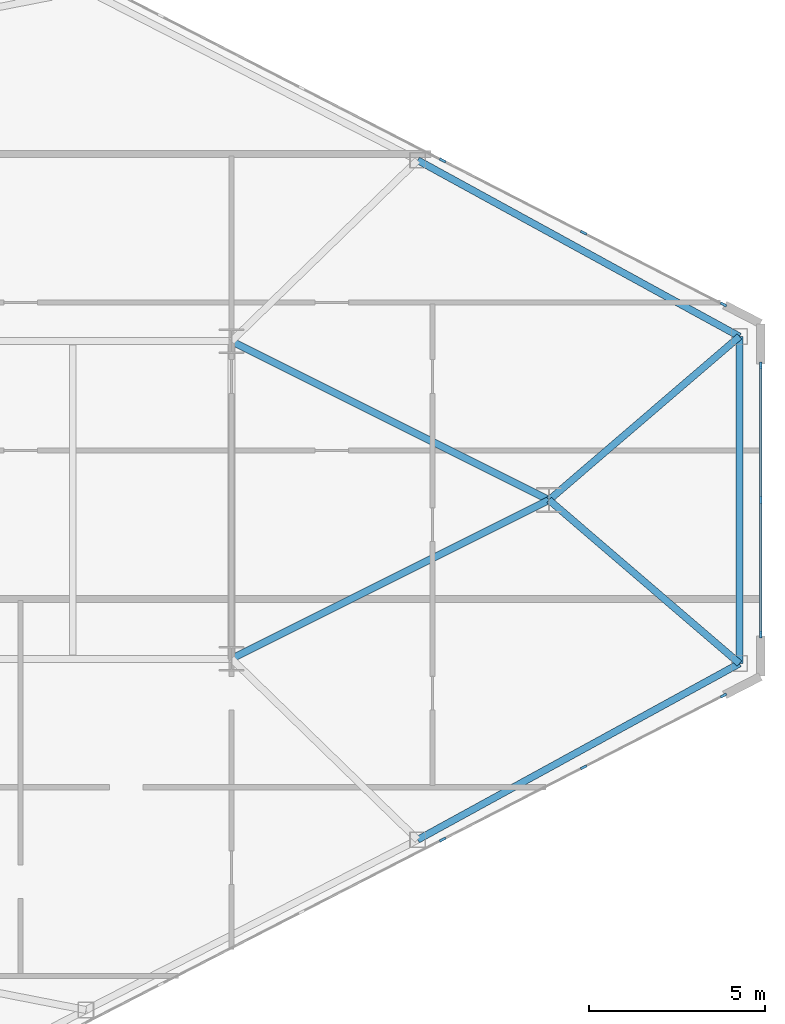
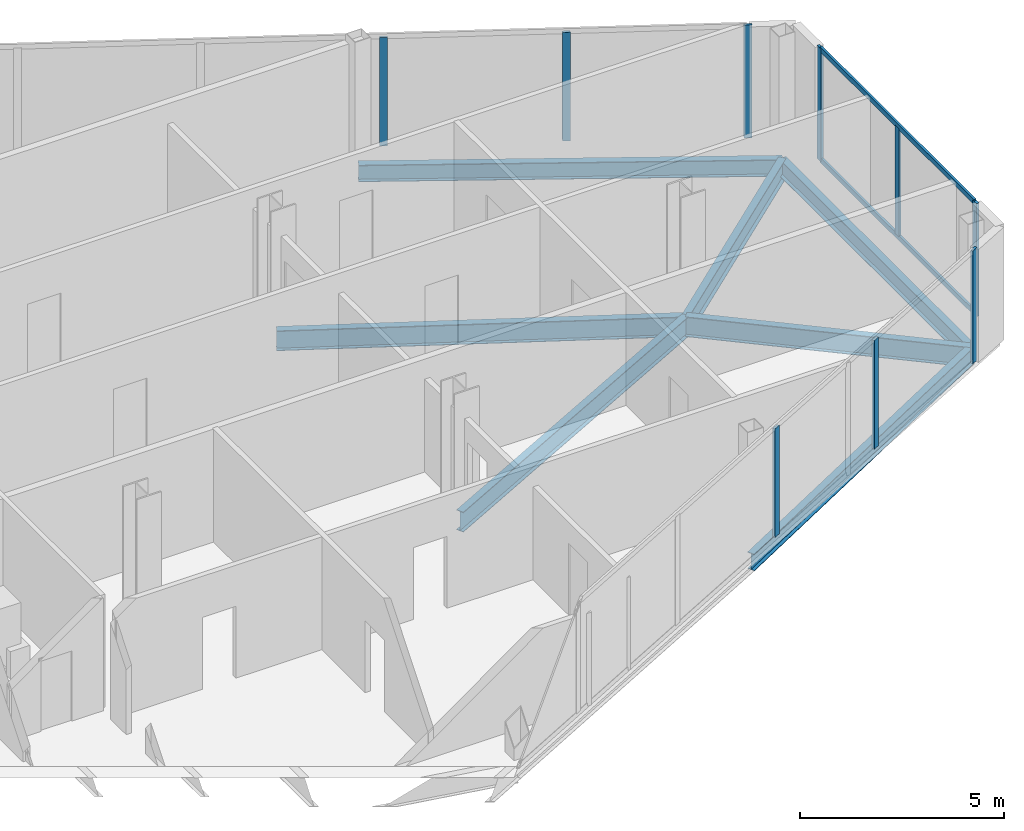
# One storey, part 13 of 24: 11 members, 7 beams, 3 elements without a shape of their own.
"""IFC4 building model written with IfcOpenShell, lengths in metres."""

from ifc_helpers import new_model, si_unit, direction, frame, origin, origin_2d, place, context, subcontext, project, spatial, rectangle, i_section, extrude, source, transform, mapped, material, layer, layer_set, material_profile, profile_set, type_object, type_shapes, element, aggregate, save


model = new_model("IFC4")

# Units and contexts
model_context = context("Model", 3, precision=1e-05, world=origin(), true_north=direction((0.0, 1.0)))
body_context = subcontext(model_context, "Body", "Model", "MODEL_VIEW")
ifc_project = project(units=[si_unit("LENGTHUNIT", "METRE"), si_unit("AREAUNIT", "SQUARE_METRE"), si_unit("VOLUMEUNIT", "CUBIC_METRE"), si_unit("PLANEANGLEUNIT", "RADIAN"), si_unit("MASSUNIT", "GRAM", prefix="KILO")], contexts=[model_context])

# Site, building, storey
site_placement = place(None, origin())
site = spatial("IfcSite", under=ifc_project, at=site_placement, CompositionType="ELEMENT")
building_placement = place(site_placement, origin())
building = spatial("IfcBuilding", under=site, at=building_placement, Name="Seokmaru Belvedere", CompositionType="ELEMENT")
storey_placement = place(building_placement, frame((0.0, 0.0, 124.800048828125)))
storey = spatial("IfcBuildingStorey", under=building, at=storey_placement, Name="L33", CompositionType="ELEMENT", Elevation=124.800048828125)

# Beams
ifc_material_1 = material(Name="Steel SM355 (355 MPa)", Category="steel")
ifc_material_profile_1 = material_profile(ifc_material_1, i_section(OverallWidth=0.199951171875, OverallDepth=0.60009765625, WebThickness=0.010986328125, FlangeThickness=0.01708984375, at=origin_2d()), Name="H-600x200x11x17")
ifc_profile_set_1 = profile_set([ifc_material_profile_1], Name="Steel SM355 (355 MPa)")
beam_type_1 = type_object("IfcBeamType", Name="Primary Floor Girder H-600", PredefinedType="BEAM", material=ifc_profile_set_1)
shared_shape_1 = source(origin(), body_context, "Body", "SweptSolid", [
    extrude(i_section(OverallWidth=0.199951171875, OverallDepth=0.60009765625, WebThickness=0.010986328125, FlangeThickness=0.01708984375, at=origin_2d()), origin(), (0.0, 0.0, 1.0), 10.062255859375),
])
for number, where, z_axis, x_axis, name in (
    (1, (54.5, -4.5, -0.52001953125), (0.894427191, 0.4472135955, 0.0), (-0.4472135955, 0.894427191, 0.0), "L33 E Apex Converging Girder 1"),
    (2, (54.5, 4.5, -0.52001953125), (0.894427191, -0.4472135955, 0.0), (0.4472135955, 0.894427191, 0.0), "L33 E Apex Converging Girder 2"),
):
    element("IfcBeam", number, at=place(storey_placement, frame(where, z_axis=z_axis, x_axis=x_axis)), inside=storey, type_object=beam_type_1, Name=name, PredefinedType="BEAM", context=body_context, shape_type="MappedRepresentation", body=[
        mapped(shared_shape_1, transform((0.0, 0.0, 0.0), scale=1.0)),
    ])
ifc_material_profile_2 = material_profile(ifc_material_1, i_section(OverallWidth=0.199951171875, OverallDepth=0.5, WebThickness=0.010009765625, FlangeThickness=0.01611328125, at=origin_2d()), Name="H-500x200x10x16")
ifc_profile_set_2 = profile_set([ifc_material_profile_2], Name="Steel SM355 (355 MPa)")
beam_type_2 = type_object("IfcBeamType", Name="Perimeter Spandrel Beam H-500", PredefinedType="SPANDREL", material=ifc_profile_set_2)
shared_shape_2 = source(origin(), body_context, "Body", "SweptSolid", [
    extrude(i_section(OverallWidth=0.199951171875, OverallDepth=0.5, WebThickness=0.010009765625, FlangeThickness=0.01611328125, at=origin_2d()), origin(), (0.0, 0.0, 1.0), 10.399658203125),
])
for number, where, z_axis, x_axis, name in (
    (3, (59.778564453125, -9.62890625, -0.469970703125), (0.877082374422, 0.480339992587, 0.0), (-0.480339992587, 0.877082374422, 0.0), "L33 E Faceted Flank Spandrel S-4"),
    (4, (59.778564453125, 9.62890625, -0.469970703125), (0.877082374422, -0.480339992587, 0.0), (0.480339992587, 0.877082374422, 0.0), "L33 E Faceted Flank Spandrel N-4"),
):
    element("IfcBeam", number, at=place(storey_placement, frame(where, z_axis=z_axis, x_axis=x_axis)), inside=storey, type_object=beam_type_2, Name=name, PredefinedType="SPANDREL", context=body_context, shape_type="MappedRepresentation", body=[
        mapped(shared_shape_2, transform((0.0, 0.0, 0.0), scale=1.0)),
    ])
shared_shape_3 = source(origin(), body_context, "Body", "SweptSolid", [
    extrude(i_section(OverallWidth=0.199951171875, OverallDepth=0.5, WebThickness=0.010009765625, FlangeThickness=0.01611328125, at=origin_2d()), origin(), (0.0, 0.0, 1.0), 9.26708984375),
])
type_shapes(beam_type_2, [shared_shape_2, shared_shape_3])
beam_placement = place(storey_placement, frame((68.89990234375, -4.633544921875, -0.469970703125), z_axis=(0.0, 1.0, 0.0), x_axis=(-1.0, 0.0, 0.0)))
element("IfcBeam", 5, at=beam_placement, inside=storey, type_object=beam_type_2, Name="L33 E Faceted Apex Spandrel", PredefinedType="SPANDREL", context=body_context, shape_type="MappedRepresentation", body=[
    mapped(shared_shape_3, transform((0.0, 0.0, 0.0), scale=1.0)),
])
shared_shape_4 = source(origin(), body_context, "Body", "SweptSolid", [
    extrude(i_section(OverallWidth=0.199951171875, OverallDepth=0.60009765625, WebThickness=0.010986328125, FlangeThickness=0.01708984375, at=origin_2d()), origin(), (0.0, 0.0, 1.0), 7.115478515625),
])
type_shapes(beam_type_1, [shared_shape_1, shared_shape_4])
for number, where, z_axis, x_axis, name in (
    (6, (68.89990234375, -4.633544921875, -0.52001953125), (-0.758905301881, 0.651201000289, 0.0), (-0.651201000289, -0.758905301881, 0.0), "L33 E Apex Radial Floor Girder 1"),
    (7, (68.89990234375, 4.633544921875, -0.52001953125), (-0.758905301881, -0.651201000289, 0.0), (0.651201000289, -0.758905301881, 0.0), "L33 E Apex Radial Floor Girder 2"),
):
    element("IfcBeam", number, at=place(storey_placement, frame(where, z_axis=z_axis, x_axis=x_axis)), inside=storey, type_object=beam_type_1, Name=name, PredefinedType="BEAM", context=body_context, shape_type="MappedRepresentation", body=[
        mapped(shared_shape_4, transform((0.0, 0.0, 0.0), scale=1.0)),
    ])

# Curtain wall, member
ifc_material_2 = material(Name="Bronze Triple Insulating Glass", Category="glass")
ifc_layer = layer(ifc_material_2, 0.195068359375)
ifc_layer_set = layer_set([ifc_layer], Name="Bronze Triple Insulating Glass")
curtain_wall_type = type_object("IfcCurtainWallType", Name="Sky-Lobby and Mid-Rise Curtain Wall System CW-4", PredefinedType="NOTDEFINED", material=ifc_layer_set)
curtain_wall_1_placement = place(storey_placement, origin())
curtain_wall_1 = element("IfcCurtainWall", 8, at=curtain_wall_1_placement, inside=storey, type_object=curtain_wall_type, Name="L33 Curtain Wall EF1", PredefinedType="NOTDEFINED")
ifc_material_3 = material(Name="Anodised Bronze Aluminium", Category="aluminium")
ifc_material_profile_3 = material_profile(ifc_material_3, rectangle(XDim=0.070068359375, YDim=0.195068359375, at=origin_2d()), Name="CW-M-70x195")
ifc_profile_set_3 = profile_set([ifc_material_profile_3], Name="Anodised Bronze Aluminium")
member_type_1 = type_object("IfcMemberType", Name="Bronze Unitised Mullion 70x195", PredefinedType="MULLION", material=ifc_profile_set_3)
shared_shape_5 = source(origin(), body_context, "Body", "SweptSolid", [
    extrude(rectangle(XDim=0.070068359375, YDim=0.195068359375, at=origin_2d()), origin(), (0.0, 0.0, 1.0), 3.3798828125),
])
member_1_placement = place(storey_placement, frame((68.44580078125, -5.541015625, 0.0), z_axis=(0.0, 0.0, 1.0), x_axis=(-0.456554528263, 0.889695432562, 0.0)))
member_1 = element("IfcMember", 9, at=member_1_placement, type_object=member_type_1, Name="CW:L33:EF1 Mullion 10", PredefinedType="MULLION", context=body_context, shape_type="MappedRepresentation", body=[
    mapped(shared_shape_5, transform((0.0, 0.0, 0.0), scale=1.0)),
])

# Curtain wall, members
curtain_wall_2_placement = place(storey_placement, origin())
curtain_wall_2 = element("IfcCurtainWall", 10, at=curtain_wall_2_placement, inside=storey, type_object=curtain_wall_type, Name="L33 Curtain Wall EF2", PredefinedType="NOTDEFINED")
member_2_placement = place(storey_placement, frame((69.5, -3.81494140625, 0.0), z_axis=(0.0, 0.0, 1.0), x_axis=(-1.0, 0.0, 0.0)))
member_2 = element("IfcMember", 11, at=member_2_placement, type_object=member_type_1, Name="CW:L33:EF2 Mullion 1", PredefinedType="MULLION", context=body_context, shape_type="MappedRepresentation", body=[
    mapped(shared_shape_5, transform((0.0, 0.0, 0.0), scale=1.0)),
])
member_3_placement = place(storey_placement, frame((69.5, 3.81494140625, 0.0), z_axis=(0.0, 0.0, 1.0), x_axis=(-1.0, 0.0, 0.0)))
member_3 = element("IfcMember", 12, at=member_3_placement, type_object=member_type_1, Name="CW:L33:EF2 Mullion 3", PredefinedType="MULLION", context=body_context, shape_type="MappedRepresentation", body=[
    mapped(shared_shape_5, transform((0.0, 0.0, 0.0), scale=1.0)),
])

# Curtain wall, member
curtain_wall_3_placement = place(storey_placement, origin())
curtain_wall_3 = element("IfcCurtainWall", 13, at=curtain_wall_3_placement, inside=storey, type_object=curtain_wall_type, Name="L33 Curtain Wall EF3", PredefinedType="NOTDEFINED")
member_4_placement = place(storey_placement, frame((68.44580078125, 5.541015625, 0.0), z_axis=(0.0, 0.0, 1.0), x_axis=(-0.456554528263, -0.889695432562, 0.0)))
member_4 = element("IfcMember", 14, at=member_4_placement, type_object=member_type_1, Name="CW:L33:EF3 Mullion 1", PredefinedType="MULLION", context=body_context, shape_type="MappedRepresentation", body=[
    mapped(shared_shape_5, transform((0.0, 0.0, 0.0), scale=1.0)),
])

# Member
shared_shape_6 = source(origin(), body_context, "Body", "SweptSolid", [
    extrude(rectangle(XDim=0.070068359375, YDim=0.195068359375, at=origin_2d()), origin(), (0.0, 0.0, 1.0), 3.25),
])
type_shapes(member_type_1, [shared_shape_5, shared_shape_6])
member_5_placement = place(storey_placement, frame((60.4873046875, -9.625, 0.06494140625), z_axis=(0.0, 0.0, 1.0), x_axis=(-0.456554528263, 0.889695432562, 0.0)))
member_5 = element("IfcMember", 15, at=member_5_placement, type_object=member_type_1, Name="CW:L33:EF1 Mullion 8", PredefinedType="MULLION", context=body_context, shape_type="MappedRepresentation", body=[
    mapped(shared_shape_6, transform((0.0, 0.0, 0.0), scale=1.0)),
])

member_6_placement = place(storey_placement, frame((64.48193359375, -7.574951171875, 0.06494140625), z_axis=(0.0, 0.0, 1.0), x_axis=(-0.456554528263, 0.889695432562, 0.0)))
member_6 = element("IfcMember", 16, at=member_6_placement, type_object=member_type_1, Name="CW:L33:EF1 Mullion 9", PredefinedType="MULLION", context=body_context, shape_type="MappedRepresentation", body=[
    mapped(shared_shape_6, transform((0.0, 0.0, 0.0), scale=1.0)),
])

aggregate(curtain_wall_1, [member_5, member_6, member_1])

member_7_placement = place(storey_placement, frame((69.5, 0.0, 0.06494140625), z_axis=(0.0, 0.0, 1.0), x_axis=(-1.0, 0.0, 0.0)))
member_7 = element("IfcMember", 17, at=member_7_placement, type_object=member_type_1, Name="CW:L33:EF2 Mullion 2", PredefinedType="MULLION", context=body_context, shape_type="MappedRepresentation", body=[
    mapped(shared_shape_6, transform((0.0, 0.0, 0.0), scale=1.0)),
])

member_8_placement = place(storey_placement, frame((64.48193359375, 7.574951171875, 0.06494140625), z_axis=(0.0, 0.0, 1.0), x_axis=(-0.456554528263, -0.889695432562, 0.0)))
member_8 = element("IfcMember", 18, at=member_8_placement, type_object=member_type_1, Name="CW:L33:EF3 Mullion 2", PredefinedType="MULLION", context=body_context, shape_type="MappedRepresentation", body=[
    mapped(shared_shape_6, transform((0.0, 0.0, 0.0), scale=1.0)),
])

member_9_placement = place(storey_placement, frame((60.4873046875, 9.625, 0.06494140625), z_axis=(0.0, 0.0, 1.0), x_axis=(-0.456554528263, -0.889695432562, 0.0)))
member_9 = element("IfcMember", 19, at=member_9_placement, type_object=member_type_1, Name="CW:L33:EF3 Mullion 3", PredefinedType="MULLION", context=body_context, shape_type="MappedRepresentation", body=[
    mapped(shared_shape_6, transform((0.0, 0.0, 0.0), scale=1.0)),
])

aggregate(curtain_wall_3, [member_4, member_8, member_9])

ifc_material_profile_4 = material_profile(ifc_material_3, rectangle(XDim=0.06494140625, YDim=0.14990234375, at=origin_2d()), Name="CW-T-65x150")
ifc_profile_set_4 = profile_set([ifc_material_profile_4], Name="Anodised Bronze Aluminium")
member_type_2 = type_object("IfcMemberType", Name="Bronze Unitised Transom 65x150", PredefinedType="USERDEFINED", material=ifc_profile_set_4)
shared_shape_7 = source(origin(), body_context, "Body", "SweptSolid", [
    extrude(rectangle(XDim=0.06494140625, YDim=0.14990234375, at=origin_2d()), origin(), (0.0, 0.0, 1.0), 7.56005859375),
])
type_shapes(member_type_2, [shared_shape_7])
member_10_placement = place(storey_placement, frame((69.5, -3.780029296875, 0.032470703125), z_axis=(0.0, 1.0, 0.0), x_axis=(-1.0, 0.0, 0.0)))
member_10 = element("IfcMember", 20, at=member_10_placement, type_object=member_type_2, Name="CW:L33:EF2 Continuous Transom 1", ObjectType="TRANSOM", PredefinedType="USERDEFINED", context=body_context, shape_type="MappedRepresentation", body=[
    mapped(shared_shape_7, transform((0.0, 0.0, 0.0), scale=1.0)),
])

member_11_placement = place(storey_placement, frame((69.5, -3.780029296875, 3.347412109375), z_axis=(0.0, 1.0, 0.0), x_axis=(-1.0, 0.0, 0.0)))
member_11 = element("IfcMember", 21, at=member_11_placement, type_object=member_type_2, Name="CW:L33:EF2 Continuous Transom 2", ObjectType="TRANSOM", PredefinedType="USERDEFINED", context=body_context, shape_type="MappedRepresentation", body=[
    mapped(shared_shape_7, transform((0.0, 0.0, 0.0), scale=1.0)),
])

aggregate(curtain_wall_2, [member_2, member_7, member_3, member_10, member_11])

save(model, "model.ifc")
